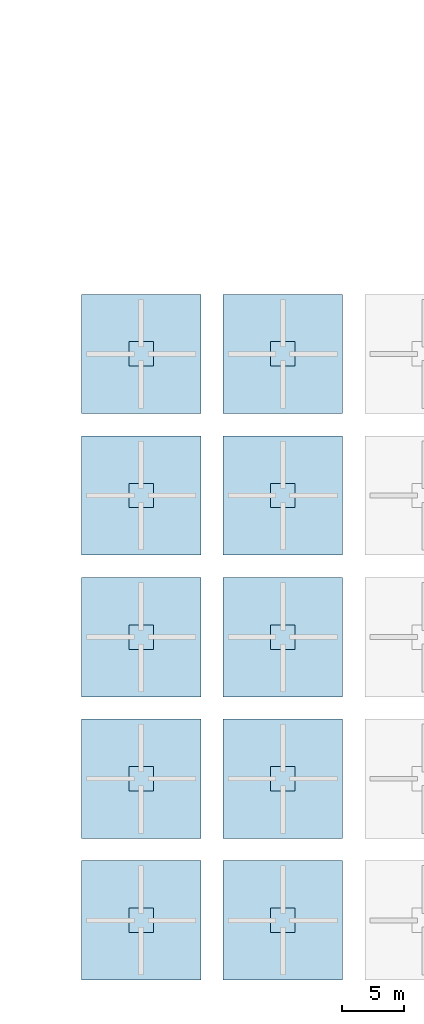
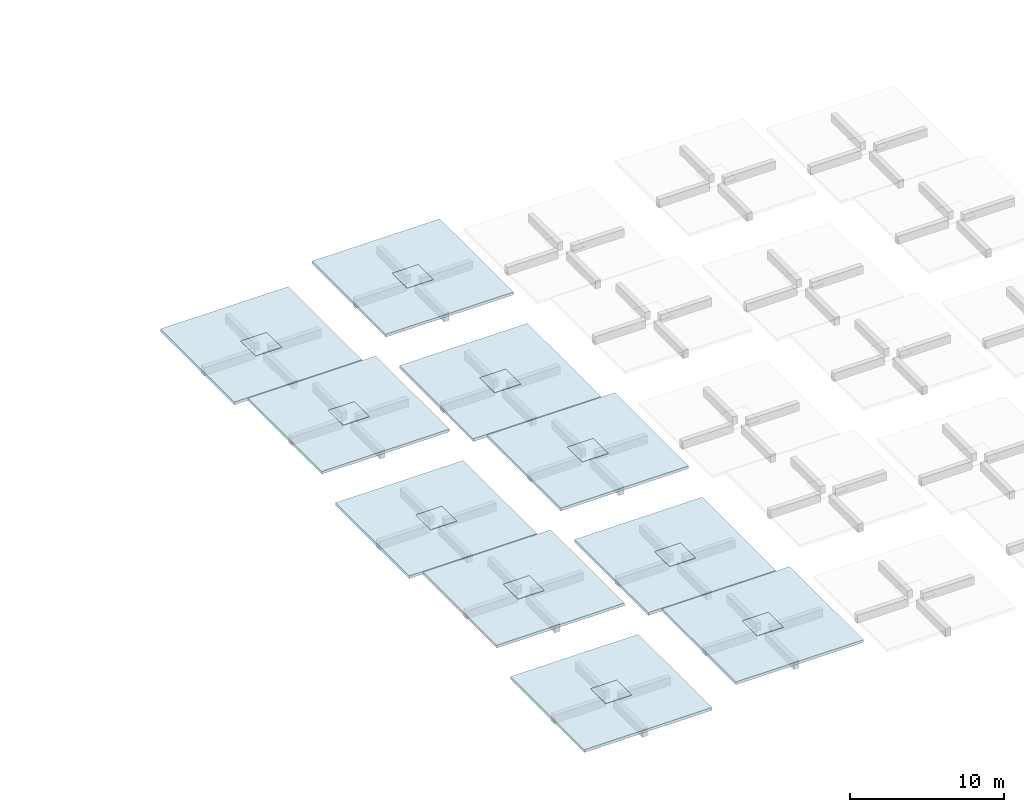
# One storey, part 19 of 30: 10 plates, 10 slabs.
"""IFC4 building model written with IfcOpenShell, lengths in metres."""

from ifc_helpers import new_model, si_unit, direction, frame, origin, origin_2d, place, context, subcontext, project, spatial, polyline, rectangle, outline, extrude, material, layer, layer_set, type_object, element, save


model = new_model("IFC4")

# Units and contexts
model_context = context("Model", 3, precision=1e-05, world=origin(), true_north=direction((0.0, 1.0)))
body_context = subcontext(model_context, "Body", "Model", "MODEL_VIEW")
ifc_project = project(units=[si_unit("LENGTHUNIT", "METRE"), si_unit("AREAUNIT", "SQUARE_METRE"), si_unit("VOLUMEUNIT", "CUBIC_METRE"), si_unit("PLANEANGLEUNIT", "RADIAN"), si_unit("MASSUNIT", "GRAM", prefix="KILO")], contexts=[model_context])

# Site, building, storey
site_placement = place(None, origin())
site = spatial("IfcSite", under=ifc_project, at=site_placement, CompositionType="ELEMENT")
building_placement = place(site_placement, origin())
building = spatial("IfcBuilding", under=site, at=building_placement, Name="Xazarin Passage Department Store", CompositionType="ELEMENT")
storey_placement = place(building_placement, frame((0.0, 0.0, 23.39990234375)))
storey = spatial("IfcBuildingStorey", under=building, at=storey_placement, Name="L05", CompositionType="ELEMENT", Elevation=23.39990234375)

# Plates
ifc_material_1 = material(Name="Low-E laminated safety glass", Category="glass")
ifc_layer_1 = layer(ifc_material_1, 0.028076171875)
ifc_layer_set_1 = layer_set([ifc_layer_1], Name="Low-E laminated safety glass")
plate_type = type_object("IfcPlateType", Name="ARC-PLT-VGLZ28", PredefinedType="SHEET", material=ifc_layer_set_1)
for number, where, z_axis, x_axis, name in (
    (1, (109.60009765625, 8.800048828125, 2.378173828125), (0.0, 0.0, 1.0), (1.0, 0.0, 0.0), "Umbrella UM5 Central Oculus Skylight"),
    (2, (121.0, 8.800048828125, 3.778076171875), (0.0, 0.0, 1.0), (1.0, 0.0, 0.0), "Umbrella UM6 Central Oculus Skylight"),
    (3, (109.60009765625, 20.199951171875, 3.778076171875), (0.0, 0.0, 1.0), (1.0, 0.0, 0.0), "Umbrella UM10 Central Oculus Skylight"),
    (4, (121.0, 20.199951171875, 2.378173828125), (0.0, 0.0, 1.0), (1.0, 0.0, 0.0), "Umbrella UM11 Central Oculus Skylight"),
    (5, (109.60009765625, 31.60009765625, 2.378173828125), (0.0, 0.0, 1.0), (1.0, 0.0, 0.0), "Umbrella UM15 Central Oculus Skylight"),
    (6, (121.0, 31.60009765625, 3.778076171875), (0.0, 0.0, 1.0), (1.0, 0.0, 0.0), "Umbrella UM16 Central Oculus Skylight"),
    (7, (109.60009765625, 43.0, 3.778076171875), (0.0, 0.0, 1.0), (1.0, 0.0, 0.0), "Umbrella UM20 Central Oculus Skylight"),
    (8, (121.0, 43.0, 2.378173828125), (0.0, 0.0, 1.0), (1.0, 0.0, 0.0), "Umbrella UM21 Central Oculus Skylight"),
    (9, (109.60009765625, 54.39990234375, 2.378173828125), (0.0, 0.0, 1.0), (1.0, 0.0, 0.0), "Umbrella UM25 Central Oculus Skylight"),
    (10, (121.0, 54.39990234375, 3.778076171875), (0.0, 0.0, 1.0), (1.0, 0.0, 0.0), "Umbrella UM26 Central Oculus Skylight"),
):
    element("IfcPlate", number, at=place(storey_placement, frame(where, z_axis=z_axis, x_axis=x_axis)), inside=storey, type_object=plate_type, Name=name, PredefinedType="SHEET", context=body_context, shape_type="SweptSolid", body=[
        extrude(rectangle(XDim=1.9599609375, YDim=1.9599609375, at=origin_2d()), origin(), (0.0, 0.0, 1.0), 0.0439453125),
    ])

# Slabs
ifc_material_2 = material(Name="Concrete C40/50", Category="concrete")
ifc_layer_2 = layer(ifc_material_2, 0.219970703125)
ifc_layer_set_2 = layer_set([ifc_layer_2], Name="Concrete C40/50")
slab_type = type_object("IfcSlabType", Name="STR-SLB-UMB220", PredefinedType="ROOF", material=ifc_layer_set_2)
slab_1_placement = place(storey_placement, frame((0.0, 0.0, 2.18017578125)))
element("IfcSlab", 11, at=slab_1_placement, inside=storey, type_object=slab_type, Name="Trading Court Umbrella Canopy UM5", PredefinedType="ROOF", context=body_context, shape_type="SweptSolid", body=[
    extrude(outline(polyline([(104.800048828125, 4.0), (114.39990234375, 4.0), (114.39990234375, 13.60009765625), (104.800048828125, 13.60009765625), (104.800048828125, 4.0)]), holes=[polyline([(108.75, 9.64990234375), (110.449951171875, 9.64990234375), (110.449951171875, 7.949951171875), (108.75, 7.949951171875), (108.75, 9.64990234375)])]), origin(), (0.0, 0.0, 1.0), 0.219970703125),
])
slab_2_placement = place(storey_placement, frame((0.0, 0.0, 3.580078125)))
element("IfcSlab", 12, at=slab_2_placement, inside=storey, type_object=slab_type, Name="Trading Court Umbrella Canopy UM6", PredefinedType="ROOF", context=body_context, shape_type="SweptSolid", body=[
    extrude(outline(polyline([(116.199951171875, 4.0), (125.800048828125, 4.0), (125.800048828125, 13.60009765625), (116.199951171875, 13.60009765625), (116.199951171875, 4.0)]), holes=[polyline([(120.14990234375, 9.64990234375), (121.85009765625, 9.64990234375), (121.85009765625, 7.949951171875), (120.14990234375, 7.949951171875), (120.14990234375, 9.64990234375)])]), origin(), (0.0, 0.0, 1.0), 0.219970703125),
])
slab_3_placement = place(storey_placement, frame((0.0, 0.0, 3.580078125)))
element("IfcSlab", 13, at=slab_3_placement, inside=storey, type_object=slab_type, Name="Trading Court Umbrella Canopy UM10", PredefinedType="ROOF", context=body_context, shape_type="SweptSolid", body=[
    extrude(outline(polyline([(104.800048828125, 15.39990234375), (114.39990234375, 15.39990234375), (114.39990234375, 25.0), (104.800048828125, 25.0), (104.800048828125, 15.39990234375)]), holes=[polyline([(108.75, 21.050048828125), (110.449951171875, 21.050048828125), (110.449951171875, 19.35009765625), (108.75, 19.35009765625), (108.75, 21.050048828125)])]), origin(), (0.0, 0.0, 1.0), 0.219970703125),
])
slab_4_placement = place(storey_placement, frame((0.0, 0.0, 2.18017578125)))
element("IfcSlab", 14, at=slab_4_placement, inside=storey, type_object=slab_type, Name="Trading Court Umbrella Canopy UM11", PredefinedType="ROOF", context=body_context, shape_type="SweptSolid", body=[
    extrude(outline(polyline([(116.199951171875, 15.39990234375), (125.800048828125, 15.39990234375), (125.800048828125, 25.0), (116.199951171875, 25.0), (116.199951171875, 15.39990234375)]), holes=[polyline([(120.14990234375, 21.050048828125), (121.85009765625, 21.050048828125), (121.85009765625, 19.35009765625), (120.14990234375, 19.35009765625), (120.14990234375, 21.050048828125)])]), origin(), (0.0, 0.0, 1.0), 0.219970703125),
])
slab_5_placement = place(storey_placement, frame((0.0, 0.0, 2.18017578125)))
element("IfcSlab", 15, at=slab_5_placement, inside=storey, type_object=slab_type, Name="Trading Court Umbrella Canopy UM15", PredefinedType="ROOF", context=body_context, shape_type="SweptSolid", body=[
    extrude(outline(polyline([(104.800048828125, 26.800048828125), (114.39990234375, 26.800048828125), (114.39990234375, 36.39990234375), (104.800048828125, 36.39990234375), (104.800048828125, 26.800048828125)]), holes=[polyline([(108.75, 32.449951171875), (110.449951171875, 32.449951171875), (110.449951171875, 30.75), (108.75, 30.75), (108.75, 32.449951171875)])]), origin(), (0.0, 0.0, 1.0), 0.219970703125),
])
slab_6_placement = place(storey_placement, frame((0.0, 0.0, 3.580078125)))
element("IfcSlab", 16, at=slab_6_placement, inside=storey, type_object=slab_type, Name="Trading Court Umbrella Canopy UM16", PredefinedType="ROOF", context=body_context, shape_type="SweptSolid", body=[
    extrude(outline(polyline([(116.199951171875, 26.800048828125), (125.800048828125, 26.800048828125), (125.800048828125, 36.39990234375), (116.199951171875, 36.39990234375), (116.199951171875, 26.800048828125)]), holes=[polyline([(120.14990234375, 32.449951171875), (121.85009765625, 32.449951171875), (121.85009765625, 30.75), (120.14990234375, 30.75), (120.14990234375, 32.449951171875)])]), origin(), (0.0, 0.0, 1.0), 0.219970703125),
])
slab_7_placement = place(storey_placement, frame((0.0, 0.0, 3.580078125)))
element("IfcSlab", 17, at=slab_7_placement, inside=storey, type_object=slab_type, Name="Trading Court Umbrella Canopy UM20", PredefinedType="ROOF", context=body_context, shape_type="SweptSolid", body=[
    extrude(outline(polyline([(104.800048828125, 38.199951171875), (114.39990234375, 38.199951171875), (114.39990234375, 47.800048828125), (104.800048828125, 47.800048828125), (104.800048828125, 38.199951171875)]), holes=[polyline([(108.75, 43.85009765625), (110.449951171875, 43.85009765625), (110.449951171875, 42.14990234375), (108.75, 42.14990234375), (108.75, 43.85009765625)])]), origin(), (0.0, 0.0, 1.0), 0.219970703125),
])
slab_8_placement = place(storey_placement, frame((0.0, 0.0, 2.18017578125)))
element("IfcSlab", 18, at=slab_8_placement, inside=storey, type_object=slab_type, Name="Trading Court Umbrella Canopy UM21", PredefinedType="ROOF", context=body_context, shape_type="SweptSolid", body=[
    extrude(outline(polyline([(116.199951171875, 38.199951171875), (125.800048828125, 38.199951171875), (125.800048828125, 47.800048828125), (116.199951171875, 47.800048828125), (116.199951171875, 38.199951171875)]), holes=[polyline([(120.14990234375, 43.85009765625), (121.85009765625, 43.85009765625), (121.85009765625, 42.14990234375), (120.14990234375, 42.14990234375), (120.14990234375, 43.85009765625)])]), origin(), (0.0, 0.0, 1.0), 0.219970703125),
])
slab_9_placement = place(storey_placement, frame((0.0, 0.0, 2.18017578125)))
element("IfcSlab", 19, at=slab_9_placement, inside=storey, type_object=slab_type, Name="Trading Court Umbrella Canopy UM25", PredefinedType="ROOF", context=body_context, shape_type="SweptSolid", body=[
    extrude(outline(polyline([(104.800048828125, 49.60009765625), (114.39990234375, 49.60009765625), (114.39990234375, 59.199951171875), (104.800048828125, 59.199951171875), (104.800048828125, 49.60009765625)]), holes=[polyline([(108.75, 55.25), (110.449951171875, 55.25), (110.449951171875, 53.550048828125), (108.75, 53.550048828125), (108.75, 55.25)])]), origin(), (0.0, 0.0, 1.0), 0.219970703125),
])
slab_10_placement = place(storey_placement, frame((0.0, 0.0, 3.580078125)))
element("IfcSlab", 20, at=slab_10_placement, inside=storey, type_object=slab_type, Name="Trading Court Umbrella Canopy UM26", PredefinedType="ROOF", context=body_context, shape_type="SweptSolid", body=[
    extrude(outline(polyline([(116.199951171875, 49.60009765625), (125.800048828125, 49.60009765625), (125.800048828125, 59.199951171875), (116.199951171875, 59.199951171875), (116.199951171875, 49.60009765625)]), holes=[polyline([(120.14990234375, 55.25), (121.85009765625, 55.25), (121.85009765625, 53.550048828125), (120.14990234375, 53.550048828125), (120.14990234375, 55.25)])]), origin(), (0.0, 0.0, 1.0), 0.219970703125),
])

save(model, "model.ifc")
